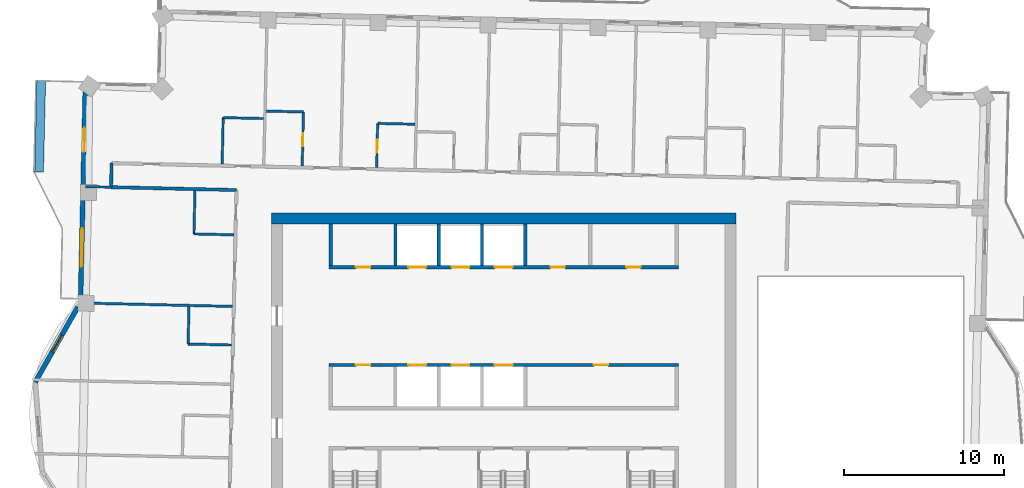
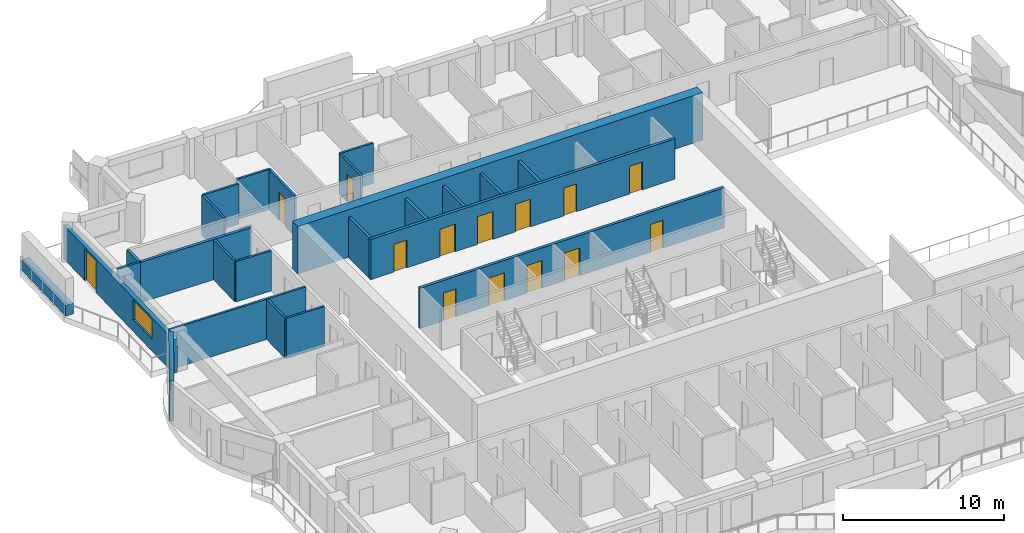
# One storey, part 10 of 17: 25 walls, 14 doors, 2 windows, 16 openings.
"""IFC4 building model written with IfcOpenShell, lengths in metres."""

from ifc_helpers import new_model, si_unit, direction, frame, frame_2d, origin, place, context, subcontext, project, spatial, rectangle, extrude, material, layer, layer_set, type_object, element, fill, save


model = new_model("IFC4")

# Units and contexts
model_context = context("Model", 3, precision=1e-05, world=origin(), true_north=direction((0.0, 1.0)))
body_context = subcontext(model_context, "Body", "Model", "MODEL_VIEW")
ifc_project = project(units=[si_unit("LENGTHUNIT", "METRE"), si_unit("AREAUNIT", "SQUARE_METRE"), si_unit("VOLUMEUNIT", "CUBIC_METRE"), si_unit("PLANEANGLEUNIT", "RADIAN"), si_unit("MASSUNIT", "GRAM", prefix="KILO")], contexts=[model_context])

# Site, building, storey
site_placement = place(None, origin())
site = spatial("IfcSite", under=ifc_project, at=site_placement, CompositionType="ELEMENT")
building_placement = place(site_placement, origin())
building = spatial("IfcBuilding", under=site, at=building_placement, Name="Mangrove Gate Tower", CompositionType="ELEMENT")
storey_placement = place(building_placement, frame((0.0, 0.0, 257.300048828125)))
storey = spatial("IfcBuildingStorey", under=building, at=storey_placement, Name="L65", CompositionType="ELEMENT", Elevation=257.300048828125)

# Wall
ifc_material_1 = material(Name="Concrete C32/40", Category="concrete")
ifc_layer_1 = layer(ifc_material_1, 0.199951171875)
ifc_layer_set_1 = layer_set([ifc_layer_1], Name="Core room wall 200 C32/40")
wall_type_1 = type_object("IfcWallType", Name="Core room wall 200 C32/40", PredefinedType="STANDARD", material=ifc_layer_set_1)
wall_1_placement = place(storey_placement, frame((-10.800048828125, 8.199951171875, 0.0), z_axis=(0.0, 0.0, 1.0), x_axis=(0.0, 1.0, 0.0)))
element("IfcWall", 1, at=wall_1_placement, inside=storey, type_object=wall_type_1, Name="WALL-L65-CORE-25", PredefinedType="STANDARD", context=body_context, shape_type="SweptSolid", body=[
    extrude(rectangle(XDim=2.60009765625, YDim=0.199951171875, at=frame_2d((1.300048828125, 0.0))), origin(), (0.0, 0.0, 1.0), 3.050048828125),
])

# Wall, openings, doors
ifc_material_2 = material(Name="Concrete C60/75", Category="concrete")
ifc_layer_2 = layer(ifc_material_2, 0.199951171875)
ifc_layer_set_2 = layer_set([ifc_layer_2], Name="Core shaft wall 200 C60/75")
wall_type_2 = type_object("IfcWallType", Name="Core shaft wall 200 C60/75", PredefinedType="SHEAR", material=ifc_layer_set_2)
wall_2_placement = place(storey_placement, frame((-10.89990234375, 2.0, 0.0), z_axis=(0.0, 0.0, 1.0), x_axis=(1.0, 0.0, 0.0)))
wall_2 = element("IfcWall", 2, at=wall_2_placement, inside=storey, type_object=wall_type_2, Name="WALL-L65-CORE-7", PredefinedType="SHEAR", context=body_context, shape_type="SweptSolid", body=[
    extrude(rectangle(XDim=21.7998046875, YDim=0.199951171875, at=frame_2d((10.89990234375, 0.0))), origin(), (0.0, 0.0, 1.0), 3.050048828125),
])
opening_1_placement = place(wall_2_placement, frame((4.949951171875, 0.0, 0.0)))
opening_1 = element("IfcOpeningElement", 3, at=opening_1_placement, cuts=wall_2, Name="Opening LD", PredefinedType="OPENING", context=body_context, shape_type="SweptSolid", body=[
    extrude(rectangle(XDim=1.10009765625, YDim=2.10009765625, at=frame_2d((0.550048828125, 1.050048828125))), frame((0.0, 0.10986328125, 0.0), z_axis=(0.0, -1.0, 0.0), x_axis=(1.0, 0.0, 0.0)), (0.0, 0.0, 1.0), 0.219970703125),
])
opening_2_placement = place(wall_2_placement, frame((7.64990234375, 0.0, 0.0)))
opening_2 = element("IfcOpeningElement", 4, at=opening_2_placement, cuts=wall_2, Name="Opening LD", PredefinedType="OPENING", context=body_context, shape_type="SweptSolid", body=[
    extrude(rectangle(XDim=1.10009765625, YDim=2.10009765625, at=frame_2d((0.550048828125, 1.050048828125))), frame((0.0, 0.10986328125, 0.0), z_axis=(0.0, -1.0, 0.0), x_axis=(1.0, 0.0, 0.0)), (0.0, 0.0, 1.0), 0.219970703125),
])
opening_3_placement = place(wall_2_placement, frame((10.35009765625, 0.0, 0.0)))
opening_3 = element("IfcOpeningElement", 5, at=opening_3_placement, cuts=wall_2, Name="Opening LD", PredefinedType="OPENING", context=body_context, shape_type="SweptSolid", body=[
    extrude(rectangle(XDim=1.10009765625, YDim=2.10009765625, at=frame_2d((0.550048828125, 1.050048828125))), frame((0.0, 0.10986328125, 0.0), z_axis=(0.0, -1.0, 0.0), x_axis=(1.0, 0.0, 0.0)), (0.0, 0.0, 1.0), 0.219970703125),
])
opening_4_placement = place(wall_2_placement, frame((1.675048828125, 0.0, 0.0)))
opening_4 = element("IfcOpeningElement", 6, at=opening_4_placement, cuts=wall_2, Name="Opening KD", PredefinedType="OPENING", context=body_context, shape_type="SweptSolid", body=[
    extrude(rectangle(XDim=0.89990234375, YDim=2.10009765625, at=frame_2d((0.449951171875, 1.050048828125))), frame((0.0, 0.10986328125, 0.0), z_axis=(0.0, -1.0, 0.0), x_axis=(1.0, 0.0, 0.0)), (0.0, 0.0, 1.0), 0.219970703125),
])
opening_5_placement = place(wall_2_placement, frame((16.52490234375, 0.0, 0.0)))
opening_5 = element("IfcOpeningElement", 7, at=opening_5_placement, cuts=wall_2, Name="Opening KD", PredefinedType="OPENING", context=body_context, shape_type="SweptSolid", body=[
    extrude(rectangle(XDim=0.89990234375, YDim=2.10009765625, at=frame_2d((0.449951171875, 1.050048828125))), frame((0.0, 0.10986328125, 0.0), z_axis=(0.0, -1.0, 0.0), x_axis=(1.0, 0.0, 0.0)), (0.0, 0.0, 1.0), 0.219970703125),
])
ifc_material_3 = material(Name="Fire-rated steel door set", Category="steel")
door_type_1 = type_object("IfcDoorType", Name="Core room door FD30S 900x2100", OperationType="SINGLE_SWING_RIGHT", PredefinedType="DOOR", material=ifc_material_3)
door_1_placement = place(opening_4_placement, origin())
door_1 = element("IfcDoor", 8, at=door_1_placement, inside=storey, type_object=door_type_1, Name="Core room door Core WC", OperationType="SINGLE_SWING_RIGHT", OverallHeight=2.10009765625, OverallWidth=0.89990234375, PredefinedType="DOOR", context=body_context, shape_type="SweptSolid", body=[
    extrude(rectangle(XDim=0.89990234375, YDim=2.10009765625, at=frame_2d((0.449951171875, 1.050048828125))), frame((0.0, 0.02490234375, 0.0), z_axis=(0.0, -1.0, 0.0), x_axis=(1.0, 0.0, 0.0)), (0.0, 0.0, 1.0), 0.050048828125),
])
fill(opening_4, door_1)
door_2_placement = place(opening_5_placement, origin())
door_2 = element("IfcDoor", 9, at=door_2_placement, inside=storey, type_object=door_type_1, Name="Core room door Pantry store", OperationType="SINGLE_SWING_RIGHT", OverallHeight=2.10009765625, OverallWidth=0.89990234375, PredefinedType="DOOR", context=body_context, shape_type="SweptSolid", body=[
    extrude(rectangle(XDim=0.89990234375, YDim=2.10009765625, at=frame_2d((0.449951171875, 1.050048828125))), frame((0.0, 0.02490234375, 0.0), z_axis=(0.0, -1.0, 0.0), x_axis=(1.0, 0.0, 0.0)), (0.0, 0.0, 1.0), 0.050048828125),
])
fill(opening_5, door_2)
ifc_material_4 = material(Name="Stainless steel 316", Category="steel")
door_type_2 = type_object("IfcDoorType", Name="Lift landing door 1100x2100", OperationType="SLIDING_TO_LEFT", PredefinedType="DOOR", material=ifc_material_4)
door_3_placement = place(opening_1_placement, origin())
door_3 = element("IfcDoor", 10, at=door_3_placement, inside=storey, type_object=door_type_2, Name="Landing door LD H01", OperationType="SLIDING_TO_LEFT", OverallHeight=2.10009765625, OverallWidth=1.10009765625, PredefinedType="DOOR", context=body_context, shape_type="SweptSolid", body=[
    extrude(rectangle(XDim=1.10009765625, YDim=2.10009765625, at=frame_2d((0.550048828125, 1.050048828125))), frame((0.0, 0.02490234375, 0.0), z_axis=(0.0, -1.0, 0.0), x_axis=(1.0, 0.0, 0.0)), (0.0, 0.0, 1.0), 0.050048828125),
])
fill(opening_1, door_3)
door_4_placement = place(opening_2_placement, origin())
door_4 = element("IfcDoor", 11, at=door_4_placement, inside=storey, type_object=door_type_2, Name="Landing door LD H02", OperationType="SLIDING_TO_LEFT", OverallHeight=2.10009765625, OverallWidth=1.10009765625, PredefinedType="DOOR", context=body_context, shape_type="SweptSolid", body=[
    extrude(rectangle(XDim=1.10009765625, YDim=2.10009765625, at=frame_2d((0.550048828125, 1.050048828125))), frame((0.0, 0.02490234375, 0.0), z_axis=(0.0, -1.0, 0.0), x_axis=(1.0, 0.0, 0.0)), (0.0, 0.0, 1.0), 0.050048828125),
])
fill(opening_2, door_4)
door_5_placement = place(opening_3_placement, origin())
door_5 = element("IfcDoor", 12, at=door_5_placement, inside=storey, type_object=door_type_2, Name="Landing door LD H03", OperationType="SLIDING_TO_LEFT", OverallHeight=2.10009765625, OverallWidth=1.10009765625, PredefinedType="DOOR", context=body_context, shape_type="SweptSolid", body=[
    extrude(rectangle(XDim=1.10009765625, YDim=2.10009765625, at=frame_2d((0.550048828125, 1.050048828125))), frame((0.0, 0.02490234375, 0.0), z_axis=(0.0, -1.0, 0.0), x_axis=(1.0, 0.0, 0.0)), (0.0, 0.0, 1.0), 0.050048828125),
])
fill(opening_3, door_5)

wall_3_placement = place(storey_placement, frame((-10.89990234375, 8.10009765625, 0.0), z_axis=(0.0, 0.0, 1.0), x_axis=(1.0, 0.0, 0.0)))
wall_3 = element("IfcWall", 13, at=wall_3_placement, inside=storey, type_object=wall_type_2, Name="WALL-L65-CORE-8", PredefinedType="SHEAR", context=body_context, shape_type="SweptSolid", body=[
    extrude(rectangle(XDim=21.7998046875, YDim=0.199951171875, at=frame_2d((10.89990234375, 0.0))), origin(), (0.0, 0.0, 1.0), 3.050048828125),
])
opening_6_placement = place(wall_3_placement, frame((4.949951171875, 0.0, 0.0)))
opening_6 = element("IfcOpeningElement", 14, at=opening_6_placement, cuts=wall_3, Name="Opening LD", PredefinedType="OPENING", context=body_context, shape_type="SweptSolid", body=[
    extrude(rectangle(XDim=1.10009765625, YDim=2.10009765625, at=frame_2d((0.550048828125, 1.050048828125))), frame((0.0, 0.10986328125, 0.0), z_axis=(0.0, -1.0, 0.0), x_axis=(1.0, 0.0, 0.0)), (0.0, 0.0, 1.0), 0.219970703125),
])
opening_7_placement = place(wall_3_placement, frame((7.64990234375, 0.0, 0.0)))
opening_7 = element("IfcOpeningElement", 15, at=opening_7_placement, cuts=wall_3, Name="Opening LD", PredefinedType="OPENING", context=body_context, shape_type="SweptSolid", body=[
    extrude(rectangle(XDim=1.10009765625, YDim=2.10009765625, at=frame_2d((0.550048828125, 1.050048828125))), frame((0.0, 0.10986328125, 0.0), z_axis=(0.0, -1.0, 0.0), x_axis=(1.0, 0.0, 0.0)), (0.0, 0.0, 1.0), 0.219970703125),
])
opening_8_placement = place(wall_3_placement, frame((10.35009765625, 0.0, 0.0)))
opening_8 = element("IfcOpeningElement", 16, at=opening_8_placement, cuts=wall_3, Name="Opening LD", PredefinedType="OPENING", context=body_context, shape_type="SweptSolid", body=[
    extrude(rectangle(XDim=1.10009765625, YDim=2.10009765625, at=frame_2d((0.550048828125, 1.050048828125))), frame((0.0, 0.10986328125, 0.0), z_axis=(0.0, -1.0, 0.0), x_axis=(1.0, 0.0, 0.0)), (0.0, 0.0, 1.0), 0.219970703125),
])
opening_9_placement = place(wall_3_placement, frame((1.675048828125, 0.0, 0.0)))
opening_9 = element("IfcOpeningElement", 17, at=opening_9_placement, cuts=wall_3, Name="Opening KD", PredefinedType="OPENING", context=body_context, shape_type="SweptSolid", body=[
    extrude(rectangle(XDim=0.89990234375, YDim=2.10009765625, at=frame_2d((0.449951171875, 1.050048828125))), frame((0.0, 0.10986328125, 0.0), z_axis=(0.0, -1.0, 0.0), x_axis=(1.0, 0.0, 0.0)), (0.0, 0.0, 1.0), 0.219970703125),
])
opening_10_placement = place(wall_3_placement, frame((13.824951171875, 0.0, 0.0)))
opening_10 = element("IfcOpeningElement", 18, at=opening_10_placement, cuts=wall_3, Name="Opening KD", PredefinedType="OPENING", context=body_context, shape_type="SweptSolid", body=[
    extrude(rectangle(XDim=0.89990234375, YDim=2.10009765625, at=frame_2d((0.449951171875, 1.050048828125))), frame((0.0, 0.10986328125, 0.0), z_axis=(0.0, -1.0, 0.0), x_axis=(1.0, 0.0, 0.0)), (0.0, 0.0, 1.0), 0.219970703125),
])
opening_11_placement = place(wall_3_placement, frame((18.550048828125, 0.0, 0.0)))
opening_11 = element("IfcOpeningElement", 19, at=opening_11_placement, cuts=wall_3, Name="Opening RD", PredefinedType="OPENING", context=body_context, shape_type="SweptSolid", body=[
    extrude(rectangle(XDim=0.89990234375, YDim=2.10009765625, at=frame_2d((0.449951171875, 1.050048828125))), frame((0.0, 0.10986328125, 0.0), z_axis=(0.0, -1.0, 0.0), x_axis=(1.0, 0.0, 0.0)), (0.0, 0.0, 1.0), 0.219970703125),
])
door_6_placement = place(opening_9_placement, origin())
door_6 = element("IfcDoor", 20, at=door_6_placement, inside=storey, type_object=door_type_1, Name="Core room door Cleaner's store", OperationType="SINGLE_SWING_RIGHT", OverallHeight=2.10009765625, OverallWidth=0.89990234375, PredefinedType="DOOR", context=body_context, shape_type="SweptSolid", body=[
    extrude(rectangle(XDim=0.89990234375, YDim=2.10009765625, at=frame_2d((0.449951171875, 1.050048828125))), frame((0.0, 0.02490234375, 0.0), z_axis=(0.0, -1.0, 0.0), x_axis=(1.0, 0.0, 0.0)), (0.0, 0.0, 1.0), 0.050048828125),
])
fill(opening_9, door_6)
door_7_placement = place(opening_10_placement, origin())
door_7 = element("IfcDoor", 21, at=door_7_placement, inside=storey, type_object=door_type_1, Name="Core room door Refuse store", OperationType="SINGLE_SWING_RIGHT", OverallHeight=2.10009765625, OverallWidth=0.89990234375, PredefinedType="DOOR", context=body_context, shape_type="SweptSolid", body=[
    extrude(rectangle(XDim=0.89990234375, YDim=2.10009765625, at=frame_2d((0.449951171875, 1.050048828125))), frame((0.0, 0.02490234375, 0.0), z_axis=(0.0, -1.0, 0.0), x_axis=(1.0, 0.0, 0.0)), (0.0, 0.0, 1.0), 0.050048828125),
])
fill(opening_10, door_7)
door_8_placement = place(opening_6_placement, origin())
door_8 = element("IfcDoor", 22, at=door_8_placement, inside=storey, type_object=door_type_2, Name="Landing door LD H04", OperationType="SLIDING_TO_LEFT", OverallHeight=2.10009765625, OverallWidth=1.10009765625, PredefinedType="DOOR", context=body_context, shape_type="SweptSolid", body=[
    extrude(rectangle(XDim=1.10009765625, YDim=2.10009765625, at=frame_2d((0.550048828125, 1.050048828125))), frame((0.0, 0.02490234375, 0.0), z_axis=(0.0, -1.0, 0.0), x_axis=(1.0, 0.0, 0.0)), (0.0, 0.0, 1.0), 0.050048828125),
])
fill(opening_6, door_8)
door_9_placement = place(opening_7_placement, origin())
door_9 = element("IfcDoor", 23, at=door_9_placement, inside=storey, type_object=door_type_2, Name="Landing door LD H05", OperationType="SLIDING_TO_LEFT", OverallHeight=2.10009765625, OverallWidth=1.10009765625, PredefinedType="DOOR", context=body_context, shape_type="SweptSolid", body=[
    extrude(rectangle(XDim=1.10009765625, YDim=2.10009765625, at=frame_2d((0.550048828125, 1.050048828125))), frame((0.0, 0.02490234375, 0.0), z_axis=(0.0, -1.0, 0.0), x_axis=(1.0, 0.0, 0.0)), (0.0, 0.0, 1.0), 0.050048828125),
])
fill(opening_7, door_9)
door_10_placement = place(opening_8_placement, origin())
door_10 = element("IfcDoor", 24, at=door_10_placement, inside=storey, type_object=door_type_2, Name="Landing door LD H06", OperationType="SLIDING_TO_LEFT", OverallHeight=2.10009765625, OverallWidth=1.10009765625, PredefinedType="DOOR", context=body_context, shape_type="SweptSolid", body=[
    extrude(rectangle(XDim=1.10009765625, YDim=2.10009765625, at=frame_2d((0.550048828125, 1.050048828125))), frame((0.0, 0.02490234375, 0.0), z_axis=(0.0, -1.0, 0.0), x_axis=(1.0, 0.0, 0.0)), (0.0, 0.0, 1.0), 0.050048828125),
])
fill(opening_8, door_10)
ifc_material_5 = material(Name="Fire-rated steel door set", Category="steel")
door_type_3 = type_object("IfcDoorType", Name="Riser door FD30S 900x2100", OperationType="SINGLE_SWING_LEFT", PredefinedType="DOOR", material=ifc_material_5)
door_11_placement = place(opening_11_placement, origin())
door_11 = element("IfcDoor", 25, at=door_11_placement, inside=storey, type_object=door_type_3, Name="Riser door Electrical room", OperationType="SINGLE_SWING_LEFT", OverallHeight=2.10009765625, OverallWidth=0.89990234375, PredefinedType="DOOR", context=body_context, shape_type="SweptSolid", body=[
    extrude(rectangle(XDim=0.89990234375, YDim=2.10009765625, at=frame_2d((0.449951171875, 1.050048828125))), frame((0.0, 0.02490234375, 0.0), z_axis=(0.0, -1.0, 0.0), x_axis=(1.0, 0.0, 0.0)), (0.0, 0.0, 1.0), 0.050048828125),
])
fill(opening_11, door_11)

# Walls
for number, where, z_axis, x_axis, name in (
    (26, (-6.75, 8.199951171875, 0.0), (0.0, 0.0, 1.0), (0.0, 1.0, 0.0), "WALL-L65-CORE-26"),
    (27, (-4.050048828125, 8.199951171875, 0.0), (0.0, 0.0, 1.0), (0.0, 1.0, 0.0), "WALL-L65-CORE-27"),
    (28, (-1.35009765625, 8.199951171875, 0.0), (0.0, 0.0, 1.0), (0.0, 1.0, 0.0), "WALL-L65-CORE-28"),
    (29, (1.35009765625, 8.199951171875, 0.0), (0.0, 0.0, 1.0), (0.0, 1.0, 0.0), "WALL-L65-CORE-29"),
):
    element("IfcWall", number, at=place(storey_placement, frame(where, z_axis=z_axis, x_axis=x_axis)), inside=storey, type_object=wall_type_2, Name=name, PredefinedType="SHEAR", context=body_context, shape_type="SweptSolid", body=[
        extrude(rectangle(XDim=2.60009765625, YDim=0.199951171875, at=frame_2d((1.300048828125, 0.0))), origin(), (0.0, 0.0, 1.0), 3.050048828125),
    ])
ifc_material_6 = material(Name="Concrete C60/75", Category="concrete")
ifc_layer_3 = layer(ifc_material_6, 0.699951171875)
ifc_layer_set_3 = layer_set([ifc_layer_3], Name="Core wall 700 C60/75")
wall_type_3 = type_object("IfcWallType", Name="Core wall 700 C60/75", PredefinedType="SHEAR", material=ifc_layer_set_3)
wall_4_placement = place(storey_placement, frame((-14.5, 11.14990234375, 0.0), z_axis=(0.0, 0.0, 1.0), x_axis=(1.0, 0.0, 0.0)))
element("IfcWall", 30, at=wall_4_placement, inside=storey, type_object=wall_type_3, Name="WALL-L65-CORE-2", PredefinedType="SHEAR", context=body_context, shape_type="SweptSolid", body=[
    extrude(rectangle(XDim=29.0, YDim=0.699951171875, at=frame_2d((14.5, 0.0))), origin(), (0.0, 0.0, 1.0), 3.599853515625),
])
ifc_material_7 = material(Name="Gypsum board on steel stud, EI 60", Category="steel")
ifc_layer_4 = layer(ifc_material_7, 0.199951171875)
ifc_layer_set_4 = layer_set([ifc_layer_4], Name="Corridor wall EI 60")
wall_type_4 = type_object("IfcWallType", Name="Corridor wall EI 60", PredefinedType="PARTITIONING", material=ifc_layer_set_4)
wall_5_placement = place(storey_placement, frame((-24.511962890625, 13.095947265625, 0.0), z_axis=(0.0, 0.0, 1.0), x_axis=(0.022617910375, 0.999744182344, 0.0)))
element("IfcWall", 31, at=wall_5_placement, inside=storey, type_object=wall_type_4, Name="WALL-L65-055", PredefinedType="PARTITIONING", context=body_context, shape_type="SweptSolid", body=[
    extrude(rectangle(XDim=1.50048828125, YDim=0.199951171875, at=frame_2d((0.750244140625, 0.0))), origin(), (0.0, 0.0, 1.0), 3.050048828125),
])
wall_6_placement = place(storey_placement, frame((-24.508056640625, 13.095947265625, 0.0), z_axis=(0.0, 0.0, 1.0), x_axis=(0.99974170677, -0.022727070732, 0.0)))
element("IfcWall", 32, at=wall_6_placement, inside=storey, type_object=wall_type_4, Name="WALL-L65-056", PredefinedType="PARTITIONING", context=body_context, shape_type="SweptSolid", body=[
    extrude(rectangle(XDim=7.8310546875, YDim=0.199951171875, at=frame_2d((3.91552734375, 0.0))), origin(), (0.0, 0.0, 1.0), 3.050048828125),
])

# Wall, openings, door, window
ifc_material_8 = material(Name="Limestone", Category="masonry")
ifc_layer_5 = layer(ifc_material_8, 0.0400390625, Name="Limestone cladding")
ifc_material_9 = material(Name="Ventilated air gap")
ifc_layer_6 = layer(ifc_material_9, 0.0400390625, Name="Ventilated cavity")
ifc_material_10 = material(Name="Mineral wool insulation")
ifc_layer_7 = layer(ifc_material_10, 0.06005859375, Name="Insulation")
ifc_material_11 = material(Name="Breather membrane")
ifc_layer_8 = layer(ifc_material_11, 0.001953125, Name="Breather membrane")
ifc_material_12 = material(Name="Concrete C20/25 blockwork", Category="masonry")
ifc_layer_9 = layer(ifc_material_12, 0.14990234375, Name="Blockwork backing wall")
ifc_material_13 = material(Name="Gypsum plaster")
ifc_layer_10 = layer(ifc_material_13, 0.008056640625, Name="Internal plaster")
ifc_layer_set_5 = layer_set([ifc_layer_5, ifc_layer_6, ifc_layer_7, ifc_layer_8, ifc_layer_9, ifc_layer_10], Name="External wall 300 limestone cladding")
wall_type_5 = type_object("IfcWallType", Name="External wall 300 limestone cladding", PredefinedType="SOLIDWALL", material=ifc_layer_set_5)
wall_7_placement = place(storey_placement, frame((-26.113037109375, 19.533935546875, 0.0), z_axis=(0.0, 0.0, 1.0), x_axis=(-0.022649415303, -0.999743469089, 0.0)))
wall_7 = element("IfcWall", 33, at=wall_7_placement, inside=storey, type_object=wall_type_5, Name="WALL-L65-W8s1", PredefinedType="SOLIDWALL", context=body_context, shape_type="SweptSolid", body=[
    extrude(rectangle(XDim=14.174560546875, YDim=0.300048828125, at=frame_2d((7.08740234375, 0.0))), origin(), (0.0, 0.0, 1.0), 2.550048828125),
])
opening_12_placement = place(wall_7_placement, frame((2.735107421875, 0.0, 0.0)))
opening_12 = element("IfcOpeningElement", 34, at=opening_12_placement, cuts=wall_7, Name="Opening BD1", PredefinedType="OPENING", context=body_context, shape_type="SweptSolid", body=[
    extrude(rectangle(XDim=1.5, YDim=2.39990234375, at=frame_2d((0.75, 1.199951171875))), frame((0.0, 0.159912109375, 0.0), z_axis=(0.0, -1.0, 0.0), x_axis=(1.0, 0.0, 0.0)), (0.0, 0.0, 1.0), 0.320068359375),
])
opening_13_placement = place(wall_7_placement, frame((9.01904296875, 0.0, 0.89990234375)))
opening_13 = element("IfcOpeningElement", 35, at=opening_13_placement, cuts=wall_7, Name="Opening W2", PredefinedType="OPENING", context=body_context, shape_type="SweptSolid", body=[
    extrude(rectangle(XDim=2.39990234375, YDim=1.5, at=frame_2d((1.199951171875, 0.75))), frame((0.0, 0.159912109375, 0.0), z_axis=(0.0, -1.0, 0.0), x_axis=(1.0, 0.0, 0.0)), (0.0, 0.0, 1.0), 0.320068359375),
])
ifc_material_14 = material(Name="Aluminium frame with laminated clear glass", Category="aluminium")
door_type_4 = type_object("IfcDoorType", Name="Balcony sliding door 1500x2400", OperationType="SLIDING_TO_LEFT", PredefinedType="DOOR", material=ifc_material_14)
door_12_placement = place(opening_12_placement, origin())
door_12 = element("IfcDoor", 36, at=door_12_placement, inside=storey, type_object=door_type_4, Name="DOOR-L65-W8-1", OperationType="SLIDING_TO_LEFT", OverallHeight=2.39990234375, OverallWidth=1.5, PredefinedType="DOOR", context=body_context, shape_type="SweptSolid", body=[
    extrude(rectangle(XDim=1.5, YDim=2.39990234375, at=frame_2d((0.75, 1.199951171875))), frame((0.0, 0.02490234375, 0.0), z_axis=(0.0, -1.0, 0.0), x_axis=(1.0, 0.0, 0.0)), (0.0, 0.0, 1.0), 0.050048828125),
])
fill(opening_12, door_12)
ifc_material_15 = material(Name="Aluminium frame with double-glazed low-e glass", Category="aluminium")
window_type_1 = type_object("IfcWindowType", Name="Corner room window 2400x1500", PartitioningType="DOUBLE_PANEL_VERTICAL", PredefinedType="WINDOW", material=ifc_material_15)
window_1_placement = place(opening_13_placement, origin())
window_1 = element("IfcWindow", 37, at=window_1_placement, inside=storey, type_object=window_type_1, Name="WIN-L65-W8-2", OverallHeight=1.5, OverallWidth=2.39990234375, PartitioningType="DOUBLE_PANEL_VERTICAL", PredefinedType="WINDOW", context=body_context, shape_type="SweptSolid", body=[
    extrude(rectangle(XDim=2.39990234375, YDim=1.5, at=frame_2d((1.199951171875, 0.75))), frame((0.0, 0.030029296875, 0.0), z_axis=(0.0, -1.0, 0.0), x_axis=(1.0, 0.0, 0.0)), (0.0, 0.0, 1.0), 0.06005859375),
])
fill(opening_13, window_1)

# Wall, opening, window
wall_8_placement = place(storey_placement, frame((-26.589111328125, 5.62109375, 0.0), z_axis=(0.0, 0.0, 1.0), x_axis=(-0.492495436053, -0.870315026566, 0.0)))
wall_8 = element("IfcWall", 38, at=wall_8_placement, inside=storey, type_object=wall_type_5, Name="WALL-L65-W9f1", PredefinedType="SOLIDWALL", context=body_context, shape_type="SweptSolid", body=[
    extrude(rectangle(XDim=5.39697265625, YDim=0.300048828125, at=frame_2d((2.698486328125, 0.0))), origin(), (0.0, 0.0, 1.0), 3.050048828125),
])
opening_14_placement = place(wall_8_placement, frame((2.007080078125, 0.0, 0.89990234375)))
opening_14 = element("IfcOpeningElement", 39, at=opening_14_placement, cuts=wall_8, Name="Opening W1", PredefinedType="OPENING", context=body_context, shape_type="SweptSolid", body=[
    extrude(rectangle(XDim=1.199951171875, YDim=1.5, at=frame_2d((0.60009765625, 0.75))), frame((0.0, 0.159912109375, 0.0), z_axis=(0.0, -1.0, 0.0), x_axis=(1.0, 0.0, 0.0)), (0.0, 0.0, 1.0), 0.320068359375),
])
ifc_material_16 = material(Name="Aluminium frame with double-glazed low-e glass", Category="aluminium")
window_type_2 = type_object("IfcWindowType", Name="Side lite 1200x1500", PartitioningType="SINGLE_PANEL", PredefinedType="WINDOW", material=ifc_material_16)
window_2_placement = place(opening_14_placement, origin())
window_2 = element("IfcWindow", 40, at=window_2_placement, inside=storey, type_object=window_type_2, Name="WIN-L65-W9f1", OverallHeight=1.5, OverallWidth=1.199951171875, PartitioningType="SINGLE_PANEL", PredefinedType="WINDOW", context=body_context, shape_type="SweptSolid", body=[
    extrude(rectangle(XDim=1.199951171875, YDim=1.5, at=frame_2d((0.60009765625, 0.75))), frame((0.0, 0.030029296875, 0.0), z_axis=(0.0, -1.0, 0.0), x_axis=(1.0, 0.0, 0.0)), (0.0, 0.0, 1.0), 0.06005859375),
])
fill(opening_14, window_2)

# Walls
ifc_material_17 = material(Name="Gypsum board on steel stud, EI 60", Category="steel")
ifc_layer_11 = layer(ifc_material_17, 0.14990234375)
ifc_layer_set_6 = layer_set([ifc_layer_11], Name="Party wall 150 EI 60")
wall_type_6 = type_object("IfcWallType", Name="Party wall 150 EI 60", PredefinedType="PARTITIONING", material=ifc_layer_set_6)
wall_9_placement = place(storey_placement, frame((-19.697998046875, 3.303955078125, 0.0), z_axis=(0.0, 0.0, 1.0), x_axis=(0.999744396973, -0.02260842146, 0.0)))
element("IfcWall", 41, at=wall_9_placement, inside=storey, type_object=wall_type_6, Name="WALL-L65-048", PredefinedType="PARTITIONING", context=body_context, shape_type="SweptSolid", body=[
    extrude(rectangle(XDim=2.69970703125, YDim=0.14990234375, at=frame_2d((1.349853515625, 0.0))), origin(), (0.0, 0.0, 1.0), 3.050048828125),
])
wall_10_placement = place(storey_placement, frame((-19.702880859375, 3.31005859375, 0.0), z_axis=(0.0, 0.0, 1.0), x_axis=(0.02279059109, 0.999740260747, 0.0)))
element("IfcWall", 42, at=wall_10_placement, inside=storey, type_object=wall_type_6, Name="WALL-L65-049", PredefinedType="PARTITIONING", context=body_context, shape_type="SweptSolid", body=[
    extrude(rectangle(XDim=2.324462890625, YDim=0.14990234375, at=frame_2d((1.162109375, 0.0))), origin(), (0.0, 0.0, 1.0), 3.050048828125),
])
wall_11_placement = place(storey_placement, frame((-26.572998046875, 5.87109375, 0.0), z_axis=(0.0, 0.0, 1.0), x_axis=(0.999743768709, -0.022636186244, 0.0)))
element("IfcWall", 43, at=wall_11_placement, inside=storey, type_object=wall_type_6, Name="WALL-L65-050", PredefinedType="PARTITIONING", context=body_context, shape_type="SweptSolid", body=[
    extrude(rectangle(XDim=9.63134765625, YDim=0.14990234375, at=frame_2d((4.815673828125, 0.0))), origin(), (0.0, 0.0, 1.0), 3.050048828125),
])
wall_12_placement = place(storey_placement, frame((-19.342041015625, 10.177978515625, 0.0), z_axis=(0.0, 0.0, 1.0), x_axis=(0.999741028149, -0.022756903044, 0.0)))
element("IfcWall", 44, at=wall_12_placement, inside=storey, type_object=wall_type_6, Name="WALL-L65-052", PredefinedType="PARTITIONING", context=body_context, shape_type="SweptSolid", body=[
    extrude(rectangle(XDim=2.499755859375, YDim=0.14990234375, at=frame_2d((1.25, 0.0))), origin(), (0.0, 0.0, 1.0), 3.050048828125),
])
wall_13_placement = place(storey_placement, frame((-19.3369140625, 10.177978515625, 0.0), z_axis=(0.0, 0.0, 1.0), x_axis=(0.02260842146, 0.999744396973, 0.0)))
element("IfcWall", 45, at=wall_13_placement, inside=storey, type_object=wall_type_6, Name="WALL-L65-053", PredefinedType="PARTITIONING", context=body_context, shape_type="SweptSolid", body=[
    extrude(rectangle(XDim=2.69970703125, YDim=0.14990234375, at=frame_2d((1.349853515625, 0.0))), origin(), (0.0, 0.0, 1.0), 3.050048828125),
])
wall_14_placement = place(storey_placement, frame((-26.10791015625, 13.132080078125, 0.0), z_axis=(0.0, 0.0, 1.0), x_axis=(0.999746371854, -0.022520922836, 0.0)))
element("IfcWall", 46, at=wall_14_placement, inside=storey, type_object=wall_type_6, Name="WALL-L65-054", PredefinedType="PARTITIONING", context=body_context, shape_type="SweptSolid", body=[
    extrude(rectangle(XDim=1.6044921875, YDim=0.14990234375, at=frame_2d((0.80224609375, 0.0))), origin(), (0.0, 0.0, 1.0), 3.050048828125),
])
wall_15_placement = place(storey_placement, frame((-17.577880859375, 14.5390625, 0.0), z_axis=(0.0, 0.0, 1.0), x_axis=(0.022725229174, 0.999741748633, 0.0)))
element("IfcWall", 47, at=wall_15_placement, inside=storey, type_object=wall_type_6, Name="WALL-L65-061", PredefinedType="PARTITIONING", context=body_context, shape_type="SweptSolid", body=[
    extrude(rectangle(XDim=2.900634765625, YDim=0.14990234375, at=frame_2d((1.4501953125, 0.0))), origin(), (0.0, 0.0, 1.0), 3.050048828125),
])

# Wall, opening, door
wall_16_placement = place(storey_placement, frame((-12.5791015625, 14.426025390625, 0.0), z_axis=(0.0, 0.0, 1.0), x_axis=(0.022894207861, 0.999737893273, 0.0)))
wall_16 = element("IfcWall", 48, at=wall_16_placement, inside=storey, type_object=wall_type_6, Name="WALL-L65-063", PredefinedType="PARTITIONING", context=body_context, shape_type="SweptSolid", body=[
    extrude(rectangle(XDim=3.369873046875, YDim=0.14990234375, at=frame_2d((1.68505859375, 0.0))), origin(), (0.0, 0.0, 1.0), 3.050048828125),
])
opening_15_placement = place(wall_16_placement, frame((1.235107421875, 0.0, 0.0)))
opening_15 = element("IfcOpeningElement", 49, at=opening_15_placement, cuts=wall_16, Name="Opening ED", PredefinedType="OPENING", context=body_context, shape_type="SweptSolid", body=[
    extrude(rectangle(XDim=0.800048828125, YDim=2.10009765625, at=frame_2d((0.39990234375, 1.050048828125))), frame((0.0, 0.0849609375, 0.0), z_axis=(0.0, -1.0, 0.0), x_axis=(1.0, 0.0, 0.0)), (0.0, 0.0, 1.0), 0.169921875),
])
ifc_material_18 = material(Name="Timber door leaf", Category="wood")
door_type_5 = type_object("IfcDoorType", Name="En-suite door 800", OperationType="SINGLE_SWING_LEFT", PredefinedType="DOOR", material=ifc_material_18)
door_13_placement = place(opening_15_placement, origin())
door_13 = element("IfcDoor", 50, at=door_13_placement, inside=storey, type_object=door_type_5, Name="DOOR-L65-ENS-c517", OperationType="SINGLE_SWING_LEFT", OverallHeight=2.10009765625, OverallWidth=0.800048828125, PredefinedType="DOOR", context=body_context, shape_type="SweptSolid", body=[
    extrude(rectangle(XDim=0.800048828125, YDim=2.10009765625, at=frame_2d((0.39990234375, 1.050048828125))), frame((0.0, 0.02490234375, 0.0), z_axis=(0.0, -1.0, 0.0), x_axis=(1.0, 0.0, 0.0)), (0.0, 0.0, 1.0), 0.050048828125),
])
fill(opening_15, door_13)

wall_17_placement = place(storey_placement, frame((-7.929931640625, 14.320068359375, 0.0), z_axis=(0.0, 0.0, 1.0), x_axis=(0.022462265691, 0.99974769148, 0.0)))
wall_17 = element("IfcWall", 51, at=wall_17_placement, inside=storey, type_object=wall_type_6, Name="WALL-L65-065", PredefinedType="PARTITIONING", context=body_context, shape_type="SweptSolid", body=[
    extrude(rectangle(XDim=2.7607421875, YDim=0.14990234375, at=frame_2d((1.38037109375, 0.0))), origin(), (0.0, 0.0, 1.0), 3.050048828125),
])
opening_16_placement = place(wall_17_placement, frame((0.929931640625, 0.0, 0.0)))
opening_16 = element("IfcOpeningElement", 52, at=opening_16_placement, cuts=wall_17, Name="Opening ED", PredefinedType="OPENING", context=body_context, shape_type="SweptSolid", body=[
    extrude(rectangle(XDim=0.800048828125, YDim=2.10009765625, at=frame_2d((0.39990234375, 1.050048828125))), frame((0.0, 0.0849609375, 0.0), z_axis=(0.0, -1.0, 0.0), x_axis=(1.0, 0.0, 0.0)), (0.0, 0.0, 1.0), 0.169921875),
])
door_14_placement = place(opening_16_placement, origin())
door_14 = element("IfcDoor", 53, at=door_14_placement, inside=storey, type_object=door_type_5, Name="DOOR-L65-ENS-c516", OperationType="SINGLE_SWING_RIGHT", OverallHeight=2.10009765625, OverallWidth=0.800048828125, PredefinedType="DOOR", context=body_context, shape_type="SweptSolid", body=[
    extrude(rectangle(XDim=0.800048828125, YDim=2.10009765625, at=frame_2d((0.39990234375, 1.050048828125))), frame((0.0, 0.02490234375, 0.0), z_axis=(0.0, -1.0, 0.0), x_axis=(1.0, 0.0, 0.0)), (0.0, 0.0, 1.0), 0.050048828125),
])
fill(opening_16, door_14)

# Walls
wall_18_placement = place(storey_placement, frame((-7.864013671875, 17.080078125, 0.0), z_axis=(0.0, 0.0, 1.0), x_axis=(0.999740478815, -0.022781023197, 0.0)))
element("IfcWall", 54, at=wall_18_placement, inside=storey, type_object=wall_type_6, Name="WALL-L65-084", PredefinedType="PARTITIONING", context=body_context, shape_type="SweptSolid", body=[
    extrude(rectangle(XDim=2.325439453125, YDim=0.14990234375, at=frame_2d((1.16259765625, 0.0))), origin(), (0.0, 0.0, 1.0), 3.050048828125),
])
wall_19_placement = place(storey_placement, frame((-17.508056640625, 17.43798828125, 0.0), z_axis=(0.0, 0.0, 1.0), x_axis=(0.999746160391, -0.022530308093, 0.0)))
element("IfcWall", 55, at=wall_19_placement, inside=storey, type_object=wall_type_6, Name="WALL-L65-085", PredefinedType="PARTITIONING", context=body_context, shape_type="SweptSolid", body=[
    extrude(rectangle(XDim=2.52490234375, YDim=0.14990234375, at=frame_2d((1.262451171875, 0.0))), origin(), (0.0, 0.0, 1.0), 3.050048828125),
])
wall_20_placement = place(storey_placement, frame((-14.822998046875, 17.847900390625, 0.0), z_axis=(0.0, 0.0, 1.0), x_axis=(0.999740478815, -0.022781023197, 0.0)))
element("IfcWall", 56, at=wall_20_placement, inside=storey, type_object=wall_type_6, Name="WALL-L65-089", PredefinedType="PARTITIONING", context=body_context, shape_type="SweptSolid", body=[
    extrude(rectangle(XDim=2.325439453125, YDim=0.14990234375, at=frame_2d((1.16259765625, 0.0))), origin(), (0.0, 0.0, 1.0), 3.050048828125),
])
ifc_material_19 = material(Name="Concrete C32/40", Category="concrete")
ifc_layer_12 = layer(ifc_material_19, 0.199951171875, Name="Planter trough wall")
ifc_material_20 = material(Name="Bituminous waterproofing membrane")
ifc_layer_13 = layer(ifc_material_20, 0.0048828125, Name="Waterproofing")
ifc_material_21 = material(Name="Drainage board and gravel")
ifc_layer_14 = layer(ifc_material_21, 0.044921875, Name="Drainage layer")
ifc_material_22 = material(Name="Planting soil")
ifc_layer_15 = layer(ifc_material_22, 0.300048828125, Name="Growing medium")
ifc_layer_set_7 = layer_set([ifc_layer_12, ifc_layer_13, ifc_layer_14, ifc_layer_15], Name="Planter wall 550 C32/40")
wall_type_7 = type_object("IfcWallType", Name="Planter wall 550 C32/40", PredefinedType="USERDEFINED", material=ifc_layer_set_7)
wall_21_placement = place(storey_placement, frame((-29.0029296875, 14.049072265625, 0.0), z_axis=(0.0, 0.0, 1.0), x_axis=(0.022788544648, 0.999740307396, 0.0)))
element("IfcWall", 57, at=wall_21_placement, inside=storey, type_object=wall_type_7, Name="PLANTER L65 W0.1", ObjectType="PLANTER", PredefinedType="USERDEFINED", context=body_context, shape_type="SweptSolid", body=[
    extrude(rectangle(XDim=5.699462890625, YDim=0.550048828125, at=frame_2d((2.849609375, 0.0))), origin(), (0.0, 0.0, 1.0), 0.800048828125),
])

save(model, "model.ifc")
